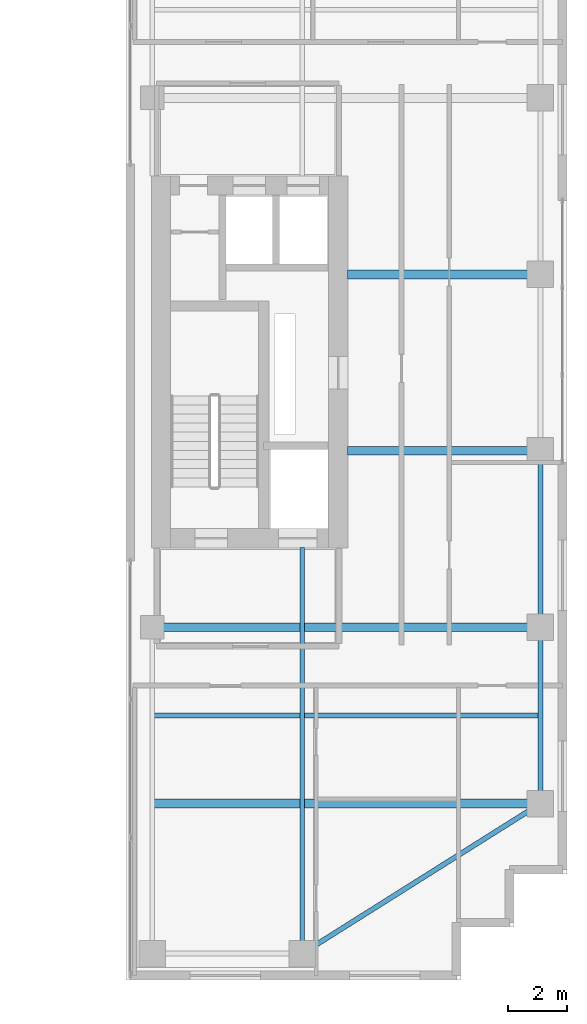
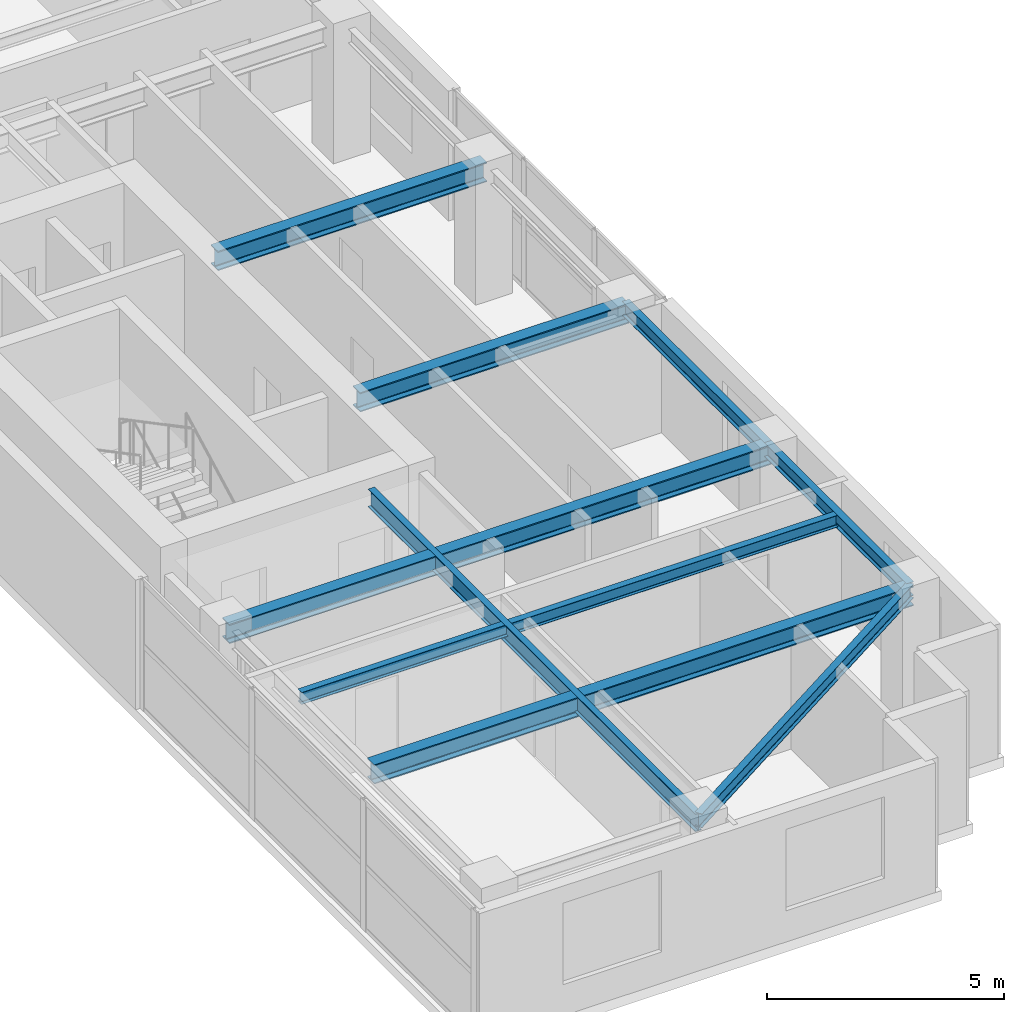
# One storey, part 9 of 21: 9 beams.
"""IFC4 building model written with IfcOpenShell, lengths in metres."""

from ifc_helpers import new_model, si_unit, direction, frame, origin, origin_2d, place, context, subcontext, project, spatial, i_section, extrude, source, transform, mapped, material, material_profile, profile_set, type_object, element, save


model = new_model("IFC4")

# Units and contexts
model_context = context("Model", 3, precision=1e-05, world=origin(), true_north=direction((0.0, 1.0)))
body_context = subcontext(model_context, "Body", "Model", "MODEL_VIEW")
ifc_project = project(units=[si_unit("LENGTHUNIT", "METRE"), si_unit("AREAUNIT", "SQUARE_METRE"), si_unit("VOLUMEUNIT", "CUBIC_METRE"), si_unit("PLANEANGLEUNIT", "RADIAN"), si_unit("MASSUNIT", "GRAM", prefix="KILO")], contexts=[model_context])

# Site, building, storey
site_placement = place(None, origin())
site = spatial("IfcSite", under=ifc_project, at=site_placement, CompositionType="ELEMENT")
building_placement = place(site_placement, origin())
building = spatial("IfcBuilding", under=site, at=building_placement, Name="Khoralis Quay Care Tower", CompositionType="ELEMENT")
storey_placement = place(building_placement, frame((0.0, 0.0, 206.10009765625)))
storey = spatial("IfcBuildingStorey", under=building, at=storey_placement, Name="L54", CompositionType="ELEMENT", Elevation=206.10009765625)

# Beams
ifc_material = material(Name="Steel S355", Category="steel")
ifc_material_profile_1 = material_profile(ifc_material, i_section(OverallWidth=0.169921875, OverallDepth=0.360107421875, WebThickness=0.008056640625, FlangeThickness=0.0126953125, FilletRadius=0.01806640625, at=origin_2d()), Name="Steel S355")
ifc_profile_set_1 = profile_set([ifc_material_profile_1], Name="Steel S355")
beam_type_1 = type_object("IfcBeamType", Name="BM-IPE360", PredefinedType="SPANDREL", material=ifc_profile_set_1)
shared_shape_1 = source(origin(), body_context, "Body", "SweptSolid", [
    extrude(i_section(OverallWidth=0.169921875, OverallDepth=0.360107421875, WebThickness=0.008056640625, FlangeThickness=0.0126953125, FilletRadius=0.01806640625, at=origin_2d()), origin(), (0.0, 0.0, 1.0), 6.0),
])
for number, where, z_axis, x_axis, name in (
    (1, (44.10009765625, 6.0, 3.159912109375), (0.0, 1.0, 0.0), (-1.0, 0.0, 0.0), "BM-TSP-L54-10"),
    (2, (44.10009765625, 12.0, 3.159912109375), (0.0, 1.0, 0.0), (-1.0, 0.0, 0.0), "BM-TSP-L54-11"),
):
    element("IfcBeam", number, at=place(storey_placement, frame(where, z_axis=z_axis, x_axis=x_axis)), inside=storey, type_object=beam_type_1, Name=name, PredefinedType="SPANDREL", context=body_context, shape_type="MappedRepresentation", body=[
        mapped(shared_shape_1, transform((0.0, 0.0, 0.0), scale=1.0)),
    ])
shared_shape_2 = source(origin(), body_context, "Body", "SweptSolid", [
    extrude(i_section(OverallWidth=0.169921875, OverallDepth=0.360107421875, WebThickness=0.008056640625, FlangeThickness=0.0126953125, FilletRadius=0.01806640625, at=origin_2d()), origin(), (0.0, 0.0, 1.0), 9.572021484375),
])
beam_1_placement = place(storey_placement, frame((36.0, 0.89990234375, 3.159912109375), z_axis=(0.846231136359, 0.532815975602, 0.0), x_axis=(-0.532815975602, 0.846231136359, 0.0)))
element("IfcBeam", 3, at=beam_1_placement, inside=storey, type_object=beam_type_1, Name="BM-TCR-L54-16", PredefinedType="SPANDREL", context=body_context, shape_type="MappedRepresentation", body=[
    mapped(shared_shape_2, transform((0.0, 0.0, 0.0), scale=1.0)),
])
ifc_material_profile_2 = material_profile(ifc_material, i_section(OverallWidth=0.300048828125, OverallDepth=0.5, WebThickness=0.014404296875, FlangeThickness=0.028076171875, FilletRadius=0.027099609375, at=origin_2d()), Name="Steel S355")
ifc_profile_set_2 = profile_set([ifc_material_profile_2], Name="Steel S355")
beam_type_2 = type_object("IfcBeamType", Name="BM-HEB500", PredefinedType="BEAM", material=ifc_profile_set_2)
shared_shape_3 = source(origin(), body_context, "Body", "SweptSolid", [
    extrude(i_section(OverallWidth=0.300048828125, OverallDepth=0.5, WebThickness=0.014404296875, FlangeThickness=0.028076171875, FilletRadius=0.027099609375, at=origin_2d()), origin(), (0.0, 0.0, 1.0), 13.135009765625),
])
beam_2_placement = place(storey_placement, frame((30.965087890625, 6.0, 3.08984375), z_axis=(1.0, 0.0, 0.0), x_axis=(0.0, 1.0, 0.0)))
element("IfcBeam", 4, at=beam_2_placement, inside=storey, type_object=beam_type_2, Name="BM-TGXE-L54-60", PredefinedType="BEAM", context=body_context, shape_type="MappedRepresentation", body=[
    mapped(shared_shape_3, transform((0.0, 0.0, 0.0), scale=1.0)),
])
shared_shape_4 = source(origin(), body_context, "Body", "SweptSolid", [
    extrude(i_section(OverallWidth=0.300048828125, OverallDepth=0.5, WebThickness=0.014404296875, FlangeThickness=0.028076171875, FilletRadius=0.027099609375, at=origin_2d()), origin(), (0.0, 0.0, 1.0), 13.2001953125),
])
beam_3_placement = place(storey_placement, frame((30.89990234375, 12.0, 3.08984375), z_axis=(1.0, 0.0, 0.0), x_axis=(0.0, 1.0, 0.0)))
element("IfcBeam", 5, at=beam_3_placement, inside=storey, type_object=beam_type_2, Name="BM-TGXE-L54-120", PredefinedType="BEAM", context=body_context, shape_type="MappedRepresentation", body=[
    mapped(shared_shape_4, transform((0.0, 0.0, 0.0), scale=1.0)),
])
shared_shape_5 = source(origin(), body_context, "Body", "SweptSolid", [
    extrude(i_section(OverallWidth=0.300048828125, OverallDepth=0.5, WebThickness=0.014404296875, FlangeThickness=0.028076171875, FilletRadius=0.027099609375, at=origin_2d()), origin(), (0.0, 0.0, 1.0), 6.552001953125),
])
for number, where, z_axis, x_axis, name in (
    (6, (37.548095703125, 18.0, 3.08984375), (1.0, 0.0, 0.0), (0.0, 1.0, 0.0), "BM-TGXE-L54-180"),
    (7, (37.548095703125, 24.0, 3.08984375), (1.0, 0.0, 0.0), (0.0, 1.0, 0.0), "BM-TGXE-L54-240"),
):
    element("IfcBeam", number, at=place(storey_placement, frame(where, z_axis=z_axis, x_axis=x_axis)), inside=storey, type_object=beam_type_2, Name=name, PredefinedType="BEAM", context=body_context, shape_type="MappedRepresentation", body=[
        mapped(shared_shape_5, transform((0.0, 0.0, 0.0), scale=1.0)),
    ])
ifc_material_profile_3 = material_profile(ifc_material, i_section(OverallWidth=0.154052734375, OverallDepth=0.458984375, WebThickness=0.009033203125, FlangeThickness=0.015380859375, FilletRadius=0.014892578125, at=origin_2d()), Name="Steel S355")
ifc_profile_set_3 = profile_set([ifc_material_profile_3], Name="Steel S355")
beam_type_3 = type_object("IfcBeamType", Name="BM-W460X68", PredefinedType="BEAM", material=ifc_profile_set_3)
shared_shape_6 = source(origin(), body_context, "Body", "SweptSolid", [
    extrude(i_section(OverallWidth=0.154052734375, OverallDepth=0.458984375, WebThickness=0.009033203125, FlangeThickness=0.015380859375, FilletRadius=0.014892578125, at=origin_2d()), origin(), (0.0, 0.0, 1.0), 13.802001953125),
])
beam_4_placement = place(storey_placement, frame((36.0, 0.89990234375, 3.1103515625), z_axis=(0.0, 1.0, 0.0), x_axis=(-1.0, 0.0, 0.0)))
element("IfcBeam", 8, at=beam_4_placement, inside=storey, type_object=beam_type_3, Name="BM-TGYS-L54-360", PredefinedType="BEAM", context=body_context, shape_type="MappedRepresentation", body=[
    mapped(shared_shape_6, transform((0.0, 0.0, 0.0), scale=1.0)),
])
ifc_material_profile_4 = material_profile(ifc_material, i_section(OverallWidth=0.1650390625, OverallDepth=0.31005859375, WebThickness=0.005859375, FlangeThickness=0.009765625, FilletRadius=0.011962890625, at=origin_2d()), Name="Steel S355")
ifc_profile_set_4 = profile_set([ifc_material_profile_4], Name="Steel S355")
beam_type_4 = type_object("IfcBeamType", Name="BM-W310X39", PredefinedType="JOIST", material=ifc_profile_set_4)
shared_shape_7 = source(origin(), body_context, "Body", "SweptSolid", [
    extrude(i_section(OverallWidth=0.1650390625, OverallDepth=0.31005859375, WebThickness=0.005859375, FlangeThickness=0.009765625, FilletRadius=0.011962890625, at=origin_2d()), origin(), (0.0, 0.0, 1.0), 13.06396484375),
])
beam_5_placement = place(storey_placement, frame((30.965087890625, 9.0, 3.184814453125), z_axis=(1.0, 0.0, 0.0), x_axis=(0.0, 1.0, 0.0)))
element("IfcBeam", 9, at=beam_5_placement, inside=storey, type_object=beam_type_4, Name="BM-TJS-L54-20", PredefinedType="JOIST", context=body_context, shape_type="MappedRepresentation", body=[
    mapped(shared_shape_7, transform((0.0, 0.0, 0.0), scale=1.0)),
])

save(model, "model.ifc")
